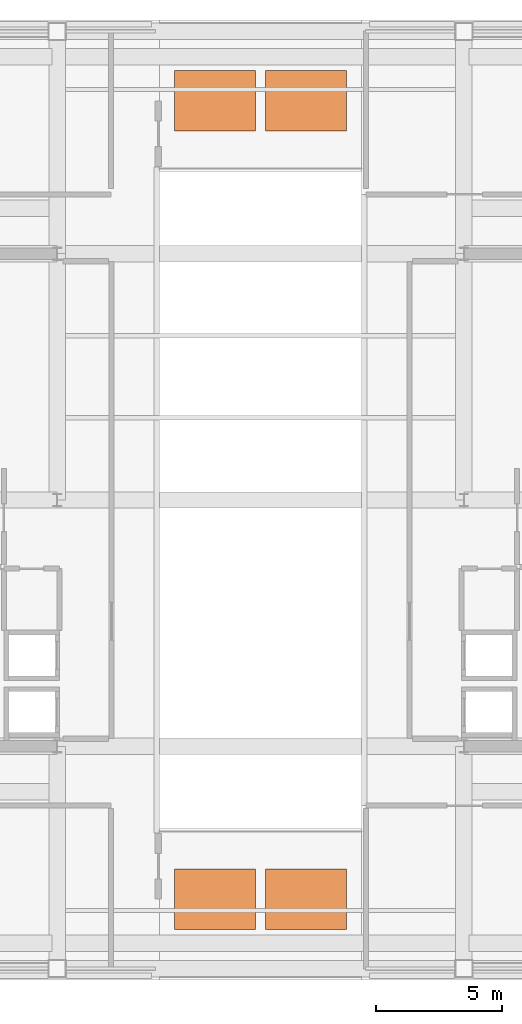
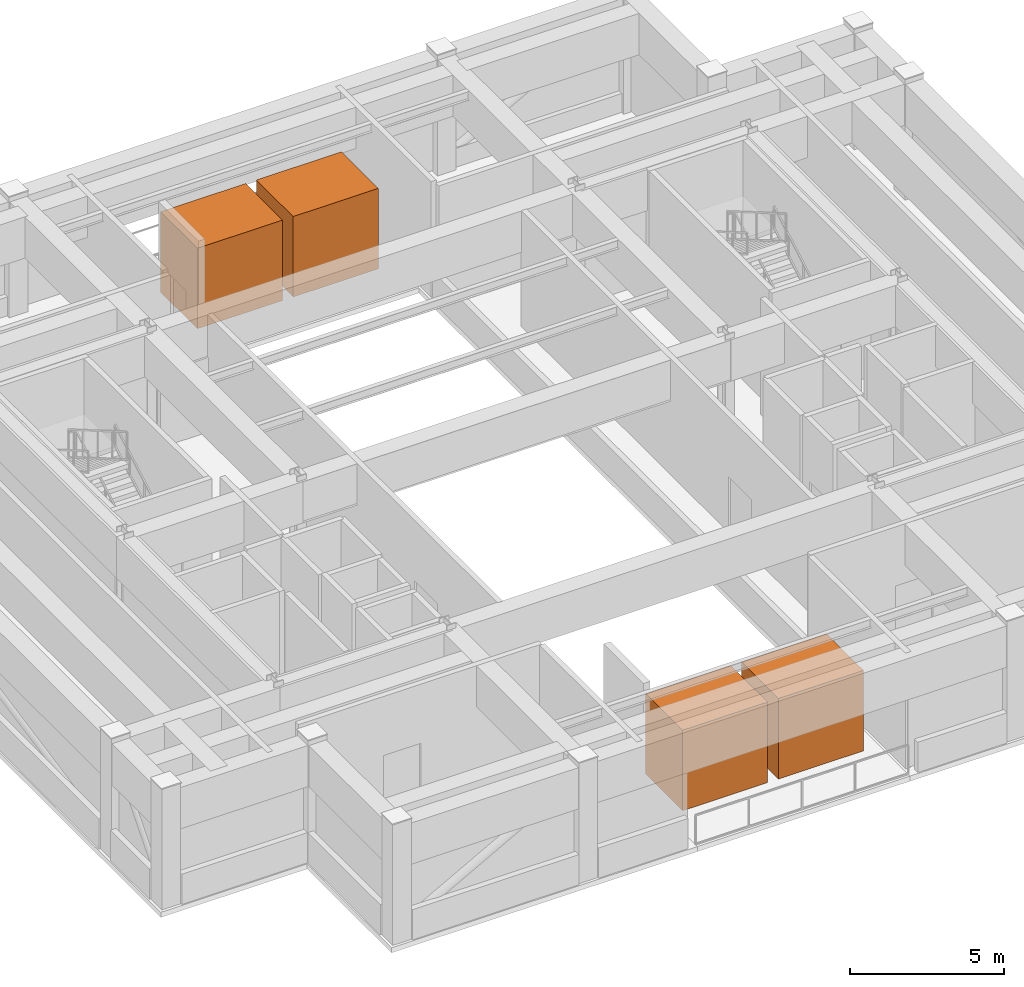
# One storey, part 8 of 8: 4 proxies.
"""IFC4 building model written with IfcOpenShell, lengths in metres."""

from ifc_helpers import new_model, si_unit, direction, frame, origin, origin_2d, place, context, subcontext, project, spatial, rectangle, extrude, material, type_object, element, save


model = new_model("IFC4")

# Units and contexts
model_context = context("Model", 3, precision=1e-05, world=origin(), true_north=direction((0.0, 1.0)))
body_context = subcontext(model_context, "Body", "Model", "MODEL_VIEW")
ifc_project = project(units=[si_unit("LENGTHUNIT", "METRE"), si_unit("AREAUNIT", "SQUARE_METRE"), si_unit("VOLUMEUNIT", "CUBIC_METRE"), si_unit("PLANEANGLEUNIT", "RADIAN"), si_unit("MASSUNIT", "GRAM", prefix="KILO")], contexts=[model_context])

# Site, building, storey
site_placement = place(None, origin())
site = spatial("IfcSite", under=ifc_project, at=site_placement, CompositionType="ELEMENT")
building_placement = place(site_placement, origin())
building = spatial("IfcBuilding", under=site, at=building_placement, Name="Brelmoor Portico Tower", CompositionType="ELEMENT")
storey_placement = place(building_placement, frame((0.0, 0.0, 209.10009765625)))
storey = spatial("IfcBuildingStorey", under=building, at=storey_placement, Name="L55", CompositionType="ELEMENT", Elevation=209.10009765625)

# Proxies
ifc_material = material(Name="Marine-Grade Coated Steel and Composite Rotor", Category="steel")
building_element_proxy_type = type_object("IfcBuildingElementProxyType", Name="SHROUDED WIND TURBINE", PredefinedType="USERDEFINED", material=ifc_material)
for number, where, z_axis, x_axis, name in (
    (1, (-1.800048828125, -15.800048828125, 0.0), (0.0, 0.0, 1.0), (1.0, 0.0, 0.0), "L55 Shrouded Wind Turbine WT-01"),
    (2, (1.800048828125, -15.800048828125, 0.0), (0.0, 0.0, 1.0), (1.0, 0.0, 0.0), "L55 Shrouded Wind Turbine WT-02"),
    (3, (-1.800048828125, 15.800048828125, 0.0), (0.0, 0.0, 1.0), (1.0, 0.0, 0.0), "L55 Shrouded Wind Turbine WT-03"),
    (4, (1.800048828125, 15.800048828125, 0.0), (0.0, 0.0, 1.0), (1.0, 0.0, 0.0), "L55 Shrouded Wind Turbine WT-04"),
):
    element("IfcBuildingElementProxy", number, at=place(storey_placement, frame(where, z_axis=z_axis, x_axis=x_axis)), inside=storey, type_object=building_element_proxy_type, Name=name, ObjectType="WIND TURBINE", PredefinedType="USERDEFINED", context=body_context, shape_type="SweptSolid", body=[
        extrude(rectangle(XDim=3.199951171875, YDim=2.39990234375, at=origin_2d()), origin(), (0.0, 0.0, 1.0), 3.199951171875),
    ])

save(model, "model.ifc")
